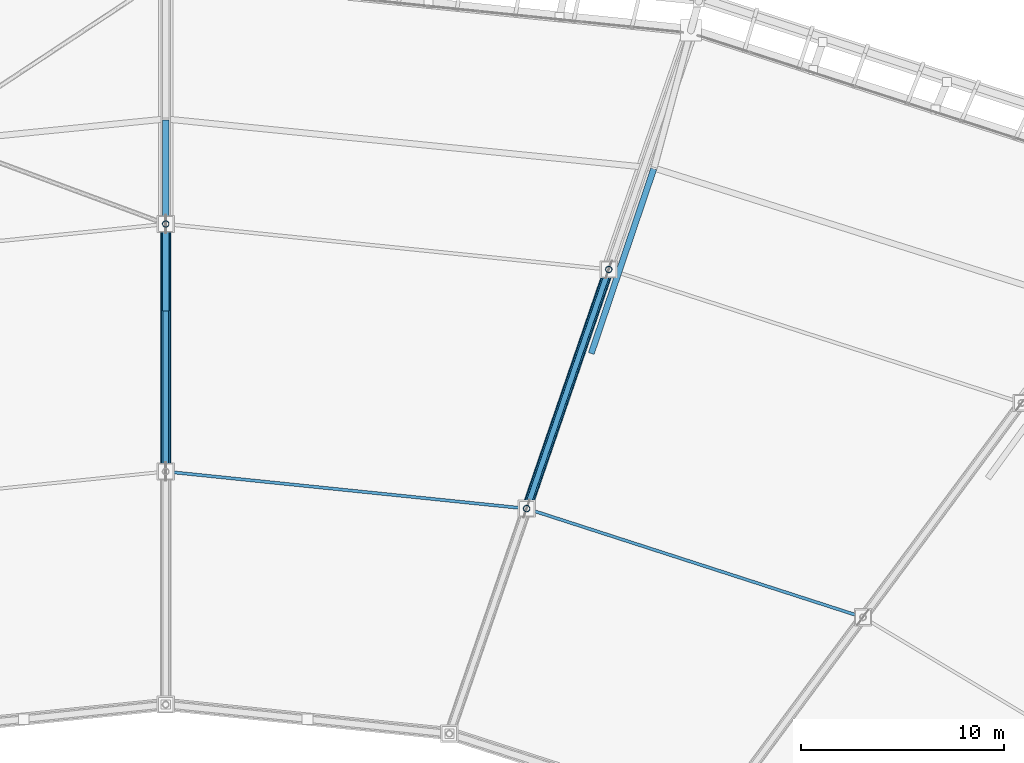
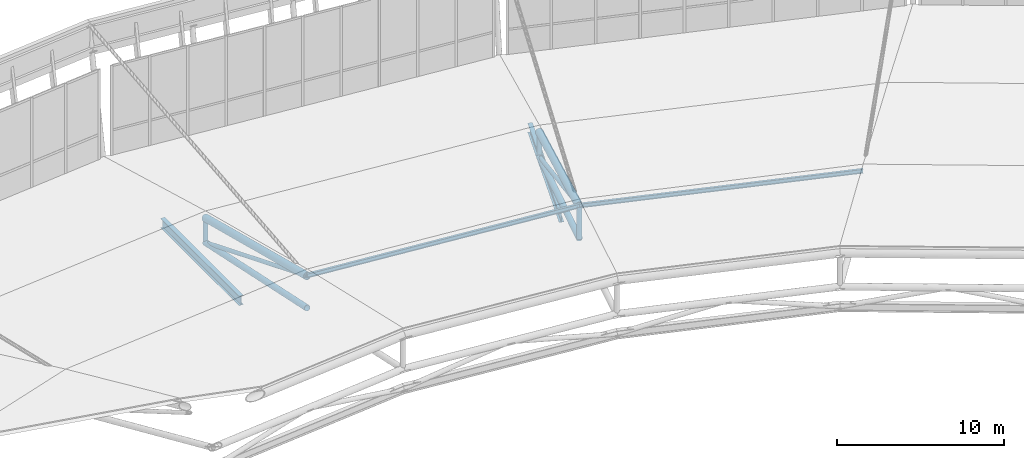
# One storey, part 70 of 115: 11 members, 2 beams.
"""IFC4 building model written with IfcOpenShell, lengths in metres."""

from ifc_helpers import new_model, si_unit, direction, frame, origin, origin_2d, place, context, subcontext, project, spatial, hollow_circle, i_section, extrude, material, material_profile, profile_set, type_object, element, save


model = new_model("IFC4")

# Units and contexts
model_context = context("Model", 3, precision=1e-05, world=origin(), true_north=direction((0.0, 1.0)))
body_context = subcontext(model_context, "Body", "Model", "MODEL_VIEW")
ifc_project = project(units=[si_unit("LENGTHUNIT", "METRE"), si_unit("AREAUNIT", "SQUARE_METRE"), si_unit("VOLUMEUNIT", "CUBIC_METRE"), si_unit("PLANEANGLEUNIT", "RADIAN"), si_unit("MASSUNIT", "GRAM", prefix="KILO")], contexts=[model_context])

# Site, building, storey
site_placement = place(None, origin())
site = spatial("IfcSite", under=ifc_project, at=site_placement, CompositionType="ELEMENT")
building_placement = place(site_placement, origin())
building = spatial("IfcBuilding", under=site, at=building_placement, Name="Zlatoyarsky Gate Stadium", CompositionType="ELEMENT")
storey_placement = place(building_placement, frame((0.0, 0.0, 31.800048828125)))
storey = spatial("IfcBuildingStorey", under=building, at=storey_placement, Name="RF", CompositionType="ELEMENT", Elevation=31.800048828125)

# Members
ifc_material = material(Name="Steel S355", Category="steel")
ifc_material_profile_1 = material_profile(ifc_material, hollow_circle(Radius=0.203125, WallThickness=0.02001953125, at=origin_2d()), Name="CHS 406.4X20")
ifc_profile_set_1 = profile_set([ifc_material_profile_1], Name="Steel S355")
member_type_1 = type_object("IfcMemberType", Name="STEEL ARCH INNER CHORD CHS 406.4X20", PredefinedType="CHORD", material=ifc_profile_set_1)
member_1_placement = place(storey_placement, frame((132.840087890625, 143.581298828125, 1.349853515625), z_axis=(-0.318018478385, -0.925829737225, 0.204214458535), x_axis=(0.945760529687, -0.324864618704, 0.0)))
element("IfcMember", 1, at=member_1_placement, inside=storey, type_object=member_type_1, Name="Radial truss R06 bottom chord 2", PredefinedType="CHORD", context=body_context, shape_type="SweptSolid", body=[
    extrude(hollow_circle(Radius=0.203125, WallThickness=0.02001953125, at=origin_2d()), origin(), (0.0, 0.0, 1.0), 12.732177734375),
])
member_2_placement = place(storey_placement, frame((111.0, 145.823974609375, 1.349853515625), z_axis=(0.0, -0.978046570233, 0.20838643539), x_axis=(1.0, 0.0, 0.0)))
element("IfcMember", 2, at=member_2_placement, inside=storey, type_object=member_type_1, Name="Radial truss R07 bottom chord 2", PredefinedType="CHORD", context=body_context, shape_type="SweptSolid", body=[
    extrude(hollow_circle(Radius=0.203125, WallThickness=0.02001953125, at=origin_2d()), origin(), (0.0, 0.0, 1.0), 12.477294921875),
])
ifc_material_profile_2 = material_profile(ifc_material, hollow_circle(Radius=0.25390625, WallThickness=0.02490234375, at=origin_2d()), Name="CHS 508X25")
ifc_profile_set_2 = profile_set([ifc_material_profile_2], Name="Steel S355")
member_type_2 = type_object("IfcMemberType", Name="STEEL ARCH TOP CHORD CHS 508X25", PredefinedType="CHORD", material=ifc_profile_set_2)
member_3_placement = place(storey_placement, frame((132.840087890625, 143.581298828125, 3.14990234375), z_axis=(-0.314960710507, -0.916927825469, 0.245036963984), x_axis=(0.945760529687, -0.324864618704, 0.0)))
element("IfcMember", 3, at=member_3_placement, inside=storey, type_object=member_type_2, Name="Radial truss R06 top chord 2", PredefinedType="CHORD", context=body_context, shape_type="SweptSolid", body=[
    extrude(hollow_circle(Radius=0.25390625, WallThickness=0.02490234375, at=origin_2d()), origin(), (0.0, 0.0, 1.0), 12.855712890625),
])
member_4_placement = place(storey_placement, frame((111.0, 145.823974609375, 3.14990234375), z_axis=(0.0, -0.968260237155, 0.249944220066), x_axis=(1.0, 0.0, 0.0)))
element("IfcMember", 4, at=member_4_placement, inside=storey, type_object=member_type_2, Name="Radial truss R07 top chord 2", PredefinedType="CHORD", context=body_context, shape_type="SweptSolid", body=[
    extrude(hollow_circle(Radius=0.25390625, WallThickness=0.02490234375, at=origin_2d()), origin(), (0.0, 0.0, 1.0), 12.603515625),
])
ifc_material_profile_3 = material_profile(ifc_material, i_section(OverallWidth=0.14990234375, OverallDepth=0.300048828125, WebThickness=0.007080078125, FlangeThickness=0.0107421875, FilletRadius=0.014892578125, at=origin_2d()), Name="IPE 300")
ifc_profile_set_3 = profile_set([ifc_material_profile_3], Name="Steel S355")
member_type_3 = type_object("IfcMemberType", Name="STEEL BOWL ROOF PURLIN IPE 300", PredefinedType="PURLIN", material=ifc_profile_set_3)
member_5_placement = place(storey_placement, frame((145.369384765625, 126.436767578125, 6.329833984375), z_axis=(-0.951560451481, 0.307461716603, 0.0), x_axis=(-0.307461716603, -0.951560451481, 0.0)))
element("IfcMember", 5, at=member_5_placement, inside=storey, type_object=member_type_3, Name="Stadium roof purlin 04.2", PredefinedType="PURLIN", context=body_context, shape_type="SweptSolid", body=[
    extrude(i_section(OverallWidth=0.14990234375, OverallDepth=0.300048828125, WebThickness=0.007080078125, FlangeThickness=0.0107421875, FilletRadius=0.014892578125, at=origin_2d()), origin(), (0.0, 0.0, 1.0), 17.42236328125),
])
member_6_placement = place(storey_placement, frame((128.791015625, 131.79345703125, 6.329833984375), z_axis=(-0.99476764542, 0.102163259665, 0.0), x_axis=(-0.102163259665, -0.99476764542, 0.0)))
element("IfcMember", 6, at=member_6_placement, inside=storey, type_object=member_type_3, Name="Stadium roof purlin 05.2", PredefinedType="PURLIN", context=body_context, shape_type="SweptSolid", body=[
    extrude(i_section(OverallWidth=0.14990234375, OverallDepth=0.300048828125, WebThickness=0.007080078125, FlangeThickness=0.0107421875, FilletRadius=0.014892578125, at=origin_2d()), origin(), (0.0, 0.0, 1.0), 17.884521484375),
])

# Beams
ifc_material_profile_4 = material_profile(ifc_material, i_section(OverallWidth=0.300048828125, OverallDepth=0.699951171875, WebThickness=0.01708984375, FlangeThickness=0.031982421875, FilletRadius=0.027099609375, at=origin_2d()), Name="HEB 700")
ifc_profile_set_4 = profile_set([ifc_material_profile_4], Name="Steel S355")
beam_type = type_object("IfcBeamType", Name="STEEL ROOF RING GIRDER HEB 700", PredefinedType="BEAM", material=ifc_profile_set_4)
beam_1_placement = place(storey_placement, frame((131.97705078125, 139.4423828125, -0.300048828125), z_axis=(0.320615466182, 0.947209439799, 0.0), x_axis=(-0.947209439799, 0.320615466182, 0.0)))
element("IfcBeam", 7, at=beam_1_placement, inside=storey, type_object=beam_type, Name="RF roof tie girder BM-RF-RBC-05", PredefinedType="BEAM", context=body_context, shape_type="SweptSolid", body=[
    extrude(i_section(OverallWidth=0.300048828125, OverallDepth=0.699951171875, WebThickness=0.01708984375, FlangeThickness=0.031982421875, FilletRadius=0.027099609375, at=origin_2d()), origin(), (0.0, 0.0, 1.0), 9.607421875),
])
beam_2_placement = place(storey_placement, frame((111.0, 141.5400390625, -0.300048828125), z_axis=(0.0, 1.0, 0.0), x_axis=(-1.0, 0.0, 0.0)))
element("IfcBeam", 8, at=beam_2_placement, inside=storey, type_object=beam_type, Name="RF roof tie girder BM-RF-RBC-06", PredefinedType="BEAM", context=body_context, shape_type="SweptSolid", body=[
    extrude(i_section(OverallWidth=0.300048828125, OverallDepth=0.699951171875, WebThickness=0.01708984375, FlangeThickness=0.031982421875, FilletRadius=0.027099609375, at=origin_2d()), origin(), (0.0, 0.0, 1.0), 9.419921875),
])

# Members
ifc_material_profile_5 = material_profile(ifc_material, hollow_circle(Radius=0.136474609375, WallThickness=0.01611328125, at=origin_2d()), Name="CHS 273X16")
ifc_profile_set_5 = profile_set([ifc_material_profile_5], Name="Steel S355")
member_type_4 = type_object("IfcMemberType", Name="STEEL ROOF TRUSS DIAGONAL CHS 273X16", PredefinedType="BRACE", material=ifc_profile_set_5)
member_7_placement = place(storey_placement, frame((132.840087890625, 143.581298828125, 1.349853515625), z_axis=(-0.301923645415, -0.878973733589, 0.36911690289), x_axis=(0.945760529687, -0.324864618704, 0.0)))
element("IfcMember", 9, at=member_7_placement, inside=storey, type_object=member_type_4, Name="Radial truss R06 web diagonal 2", PredefinedType="BRACE", context=body_context, shape_type="SweptSolid", body=[
    extrude(hollow_circle(Radius=0.136474609375, WallThickness=0.01611328125, at=origin_2d()), origin(), (0.0, 0.0, 1.0), 13.410888671875),
])
member_8_placement = place(storey_placement, frame((111.0, 145.823974609375, 1.349853515625), z_axis=(0.0, -0.926663012019, 0.37589315258), x_axis=(1.0, 0.0, 0.0)))
element("IfcMember", 10, at=member_8_placement, inside=storey, type_object=member_type_4, Name="Radial truss R07 web diagonal 2", PredefinedType="BRACE", context=body_context, shape_type="SweptSolid", body=[
    extrude(hollow_circle(Radius=0.136474609375, WallThickness=0.01611328125, at=origin_2d()), origin(), (0.0, 0.0, 1.0), 13.169189453125),
])
ifc_material_profile_6 = material_profile(ifc_material, hollow_circle(Radius=0.161865234375, WallThickness=0.01611328125, at=origin_2d()), Name="CHS 323.9X16")
ifc_profile_set_6 = profile_set([ifc_material_profile_6], Name="Steel S355")
member_type_5 = type_object("IfcMemberType", Name="STEEL TRUSS WEB STRUT CHS 323.9X16", PredefinedType="STRUT", material=ifc_profile_set_6)
member_9_placement = place(storey_placement, frame((132.840087890625, 143.581298828125, 1.349853515625), z_axis=(0.0, 0.0, 1.0), x_axis=(1.0, 0.0, 0.0)))
element("IfcMember", 11, at=member_9_placement, inside=storey, type_object=member_type_5, Name="Radial truss R06 web strut 1", PredefinedType="STRUT", context=body_context, shape_type="SweptSolid", body=[
    extrude(hollow_circle(Radius=0.161865234375, WallThickness=0.01611328125, at=origin_2d()), origin(), (0.0, 0.0, 1.0), 1.800048828125),
])
member_10_placement = place(storey_placement, frame((128.791015625, 131.79345703125, 3.949951171875), z_axis=(0.0, 0.0, 1.0), x_axis=(1.0, 0.0, 0.0)))
element("IfcMember", 12, at=member_10_placement, inside=storey, type_object=member_type_5, Name="Radial truss R06 web strut 2", PredefinedType="STRUT", context=body_context, shape_type="SweptSolid", body=[
    extrude(hollow_circle(Radius=0.161865234375, WallThickness=0.01611328125, at=origin_2d()), origin(), (0.0, 0.0, 1.0), 2.35009765625),
])
member_11_placement = place(storey_placement, frame((111.0, 145.823974609375, 1.349853515625), z_axis=(0.0, 0.0, 1.0), x_axis=(1.0, 0.0, 0.0)))
element("IfcMember", 13, at=member_11_placement, inside=storey, type_object=member_type_5, Name="Radial truss R07 web strut 1", PredefinedType="STRUT", context=body_context, shape_type="SweptSolid", body=[
    extrude(hollow_circle(Radius=0.161865234375, WallThickness=0.01611328125, at=origin_2d()), origin(), (0.0, 0.0, 1.0), 1.800048828125),
])

save(model, "model.ifc")
